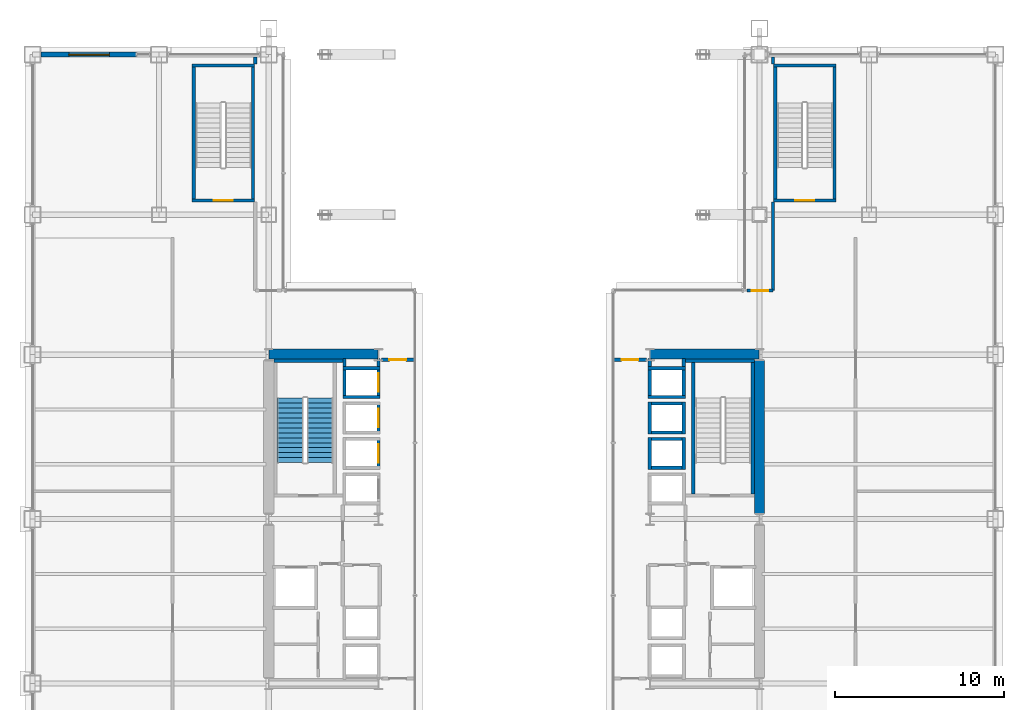
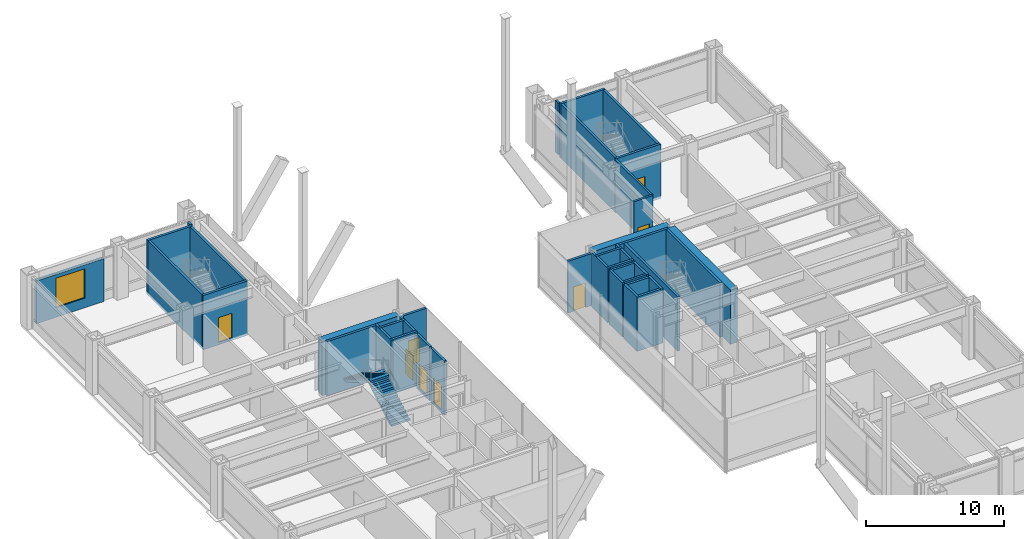
# One storey, part 37 of 40: 40 walls, 8 doors, 2 stair flights, 1 window, 9 openings, 1 element without a shape of its own.
"""IFC4 building model written with IfcOpenShell, lengths in metres."""

from ifc_helpers import new_model, si_unit, direction, frame, frame_2d, origin, place, context, subcontext, project, spatial, polyline, rectangle, outline, extrude, material, layer, layer_set, type_object, element, fill, aggregate, save


model = new_model("IFC4")

# Units and contexts
model_context = context("Model", 3, precision=1e-05, world=origin(), true_north=direction((0.0, 1.0)))
body_context = subcontext(model_context, "Body", "Model", "MODEL_VIEW")
ifc_project = project(units=[si_unit("LENGTHUNIT", "METRE"), si_unit("AREAUNIT", "SQUARE_METRE"), si_unit("VOLUMEUNIT", "CUBIC_METRE"), si_unit("PLANEANGLEUNIT", "RADIAN"), si_unit("MASSUNIT", "GRAM", prefix="KILO")], contexts=[model_context])

# Site, building, storey
site_placement = place(None, origin())
site = spatial("IfcSite", under=ifc_project, at=site_placement, CompositionType="ELEMENT")
building_placement = place(site_placement, origin())
building = spatial("IfcBuilding", under=site, at=building_placement, Name="Brelmoor Portico Tower", CompositionType="ELEMENT")
storey_placement = place(building_placement, frame((0.0, 0.0, 4.800048828125)))
storey = spatial("IfcBuildingStorey", under=building, at=storey_placement, Name="L01", CompositionType="ELEMENT", Elevation=4.800048828125)

# Walls
ifc_material_1 = material(Name="Concrete C60", Category="concrete")
ifc_layer_1 = layer(ifc_material_1, 0.60009765625)
ifc_layer_set_1 = layer_set([ifc_layer_1], Name="Concrete C60")
wall_type_1 = type_object("IfcWallType", Name="WL-CORE-600", PredefinedType="SHEAR", material=ifc_layer_set_1)
for number, where, z_axis, x_axis, name in (
    (1, (-14.530029296875, 9.800048828125, -0.219970703125), (0.0, 0.0, 1.0), (1.0, 0.0, 0.0), "L01 WC North Shear Wall"),
    (2, (8.070068359375, 9.800048828125, -0.219970703125), (0.0, 0.0, 1.0), (1.0, 0.0, 0.0), "L01 EC North Shear Wall"),
):
    element("IfcWall", number, at=place(storey_placement, frame(where, z_axis=z_axis, x_axis=x_axis)), inside=storey, type_object=wall_type_1, Name=name, PredefinedType="SHEAR", context=body_context, shape_type="SweptSolid", body=[
        extrude(rectangle(XDim=6.4599609375, YDim=0.60009765625, at=frame_2d((3.22998046875, 0.0))), origin(), (0.0, 0.0, 1.0), 4.7998046875),
    ])
wall_1_placement = place(storey_placement, frame((14.550048828125, 0.35009765625, -0.219970703125), z_axis=(0.0, 0.0, 1.0), x_axis=(0.0, 1.0, 0.0)))
element("IfcWall", 3, at=wall_1_placement, inside=storey, type_object=wall_type_1, Name="L01 EC Outer North Shear Wall", PredefinedType="SHEAR", context=body_context, shape_type="SweptSolid", body=[
    extrude(rectangle(XDim=9.0498046875, YDim=0.60009765625, at=frame_2d((4.52490234375, 0.0))), origin(), (0.0, 0.0, 1.0), 4.7998046875),
])

# Wall, opening, window
ifc_material_2 = material(Name="Precast Concrete C40 Acoustic Spandrel Wall", Category="concrete")
ifc_layer_2 = layer(ifc_material_2, 0.280029296875)
ifc_layer_set_2 = layer_set([ifc_layer_2], Name="Precast Concrete C40 Acoustic Spandrel Wall")
wall_type_2 = type_object("IfcWallType", Name="WL-EXT-280", PredefinedType="STANDARD", material=ifc_layer_set_2)
wall_2_placement = place(storey_placement, frame((-28.0400390625, 27.550048828125, 0.0), z_axis=(0.0, 0.0, 1.0), x_axis=(1.0, 0.0, 0.0)))
wall_2 = element("IfcWall", 4, at=wall_2_placement, inside=storey, type_object=wall_type_2, Name="L01 Podium North-West Precast Wall", PredefinedType="STANDARD", context=body_context, shape_type="SweptSolid", body=[
    extrude(rectangle(XDim=5.64013671875, YDim=0.280029296875, at=frame_2d((2.820068359375, 0.0))), origin(), (0.0, 0.0, 1.0), 3.780029296875),
])
opening_1_placement = place(wall_2_placement, frame((1.639892578125, 0.0, 0.85009765625)))
opening_1 = element("IfcOpeningElement", 5, at=opening_1_placement, cuts=wall_2, Name="Opening W-04", PredefinedType="OPENING", context=body_context, shape_type="SweptSolid", body=[
    extrude(rectangle(XDim=2.39990234375, YDim=2.60009765625, at=frame_2d((1.199951171875, 1.300048828125))), frame((0.0, 0.14990234375, 0.0), z_axis=(0.0, -1.0, 0.0), x_axis=(1.0, 0.0, 0.0)), (0.0, 0.0, 1.0), 0.300048828125),
])
ifc_material_3 = material(Name="Thermally Broken Aluminium Low-E Window", Category="aluminium")
window_type = type_object("IfcWindowType", Name="WN-PODIUM-2400x2600", PartitioningType="SINGLE_PANEL", PredefinedType="WINDOW", material=ifc_material_3)
window_placement = place(opening_1_placement, origin())
window = element("IfcWindow", 6, at=window_placement, inside=storey, type_object=window_type, Name="L01 Podium Window PNW", OverallHeight=2.60009765625, OverallWidth=2.39990234375, PartitioningType="SINGLE_PANEL", PredefinedType="WINDOW", context=body_context, shape_type="SweptSolid", body=[
    extrude(rectangle(XDim=2.39990234375, YDim=2.60009765625, at=frame_2d((1.199951171875, 1.300048828125))), frame((0.0, 0.030029296875, 0.0), z_axis=(0.0, -1.0, 0.0), x_axis=(1.0, 0.0, 0.0)), (0.0, 0.0, 1.0), 0.06005859375),
])
fill(opening_1, window)

# Wall
ifc_material_4 = material(Name="Acoustic Corridor Fire Partition", Category="gypsum")
ifc_layer_3 = layer(ifc_material_4, 0.179931640625)
ifc_layer_set_3 = layer_set([ifc_layer_3], Name="Acoustic Corridor Fire Partition")
wall_type_3 = type_object("IfcWallType", Name="WL-PART-180", PredefinedType="PARTITIONING", material=ifc_layer_set_3)
wall_3_placement = place(storey_placement, frame((-15.35009765625, 27.0, 0.0), z_axis=(0.0, 0.0, 1.0), x_axis=(0.0, 1.0, 0.0)))
element("IfcWall", 7, at=wall_3_placement, inside=storey, type_object=wall_type_3, Name="L01 W North Reception Outer Wall North Closer", PredefinedType="PARTITIONING", context=body_context, shape_type="SweptSolid", body=[
    extrude(rectangle(XDim=0.419921875, YDim=0.179931640625, at=frame_2d((0.2099609375, 0.0))), origin(), (0.0, 0.0, 1.0), 4.579833984375),
])

# Wall, opening, door
wall_4_placement = place(storey_placement, frame((13.800048828125, 13.550048828125, 0.0), z_axis=(0.0, 0.0, 1.0), x_axis=(1.0, 0.0, 0.0)))
wall_4 = element("IfcWall", 8, at=wall_4_placement, inside=storey, type_object=wall_type_3, Name="L01 E North Reception Wall", PredefinedType="PARTITIONING", context=body_context, shape_type="SweptSolid", body=[
    extrude(rectangle(XDim=1.550048828125, YDim=0.179931640625, at=frame_2d((0.77490234375, 0.0))), origin(), (0.0, 0.0, 1.0), 4.579833984375),
])
opening_2_placement = place(wall_4_placement, frame((0.300048828125, 0.0, 0.0)))
opening_2 = element("IfcOpeningElement", 9, at=opening_2_placement, cuts=wall_4, Name="Opening D-IN2", PredefinedType="OPENING", context=body_context, shape_type="SweptSolid", body=[
    extrude(rectangle(XDim=0.9599609375, YDim=2.179931640625, at=frame_2d((0.47998046875, 1.08984375))), frame((0.0, 0.099853515625, 0.0), z_axis=(0.0, -1.0, 0.0), x_axis=(1.0, 0.0, 0.0)), (0.0, 0.0, 1.0), 0.199951171875),
])
ifc_material_5 = material(Name="Lacquered Timber Suite Door", Category="wood")
door_type_1 = type_object("IfcDoorType", Name="DR-INT-950", OperationType="NOTDEFINED", PredefinedType="DOOR", material=ifc_material_5)
door_1_placement = place(opening_2_placement, origin())
door_1 = element("IfcDoor", 10, at=door_1_placement, inside=storey, type_object=door_type_1, Name="D-0110 L01 E North Reception Foyer Door", OperationType="SINGLE_SWING_RIGHT", OverallHeight=2.179931640625, OverallWidth=0.9599609375, PredefinedType="DOOR", context=body_context, shape_type="SweptSolid", body=[
    extrude(rectangle(XDim=0.9599609375, YDim=2.179931640625, at=frame_2d((0.47998046875, 1.08984375))), frame((0.0, 0.02490234375, 0.0), z_axis=(0.0, -1.0, 0.0), x_axis=(1.0, 0.0, 0.0)), (0.0, 0.0, 1.0), 0.050048828125),
])
fill(opening_2, door_1)

# Walls
wall_5_placement = place(storey_placement, frame((15.35009765625, 13.550048828125, 0.0), z_axis=(0.0, 0.0, 1.0), x_axis=(0.0, 1.0, 0.0)))
element("IfcWall", 11, at=wall_5_placement, inside=storey, type_object=wall_type_3, Name="L01 E North Reception Outer Wall", PredefinedType="PARTITIONING", context=body_context, shape_type="SweptSolid", body=[
    extrude(rectangle(XDim=5.25, YDim=0.179931640625, at=frame_2d((2.625, 0.0))), origin(), (0.0, 0.0, 1.0), 4.579833984375),
])
wall_6_placement = place(storey_placement, frame((15.35009765625, 27.0, 0.0), z_axis=(0.0, 0.0, 1.0), x_axis=(0.0, 1.0, 0.0)))
element("IfcWall", 12, at=wall_6_placement, inside=storey, type_object=wall_type_3, Name="L01 E North Reception Outer Wall North Closer", PredefinedType="PARTITIONING", context=body_context, shape_type="SweptSolid", body=[
    extrude(rectangle(XDim=0.419921875, YDim=0.179931640625, at=frame_2d((0.2099609375, 0.0))), origin(), (0.0, 0.0, 1.0), 4.579833984375),
])

# Wall, opening, door
ifc_material_6 = material(Name="Double-Stud Gypsum Fire Partition", Category="gypsum")
ifc_layer_4 = layer(ifc_material_6, 0.199951171875)
ifc_layer_set_4 = layer_set([ifc_layer_4], Name="Double-Stud Gypsum Fire Partition")
wall_type_4 = type_object("IfcWallType", Name="WL-PART-200", PredefinedType="PARTITIONING", material=ifc_layer_set_4)
wall_7_placement = place(storey_placement, frame((-7.85009765625, 9.449951171875, 0.0), z_axis=(0.0, 0.0, 1.0), x_axis=(1.0, 0.0, 0.0)))
wall_7 = element("IfcWall", 13, at=wall_7_placement, inside=storey, type_object=wall_type_4, Name="L01 W Pier Lift Lobby North Wall", PredefinedType="PARTITIONING", context=body_context, shape_type="SweptSolid", body=[
    extrude(rectangle(XDim=1.93017578125, YDim=0.199951171875, at=frame_2d((0.965087890625, 0.0))), origin(), (0.0, 0.0, 1.0), 4.579833984375),
])
opening_3_placement = place(wall_7_placement, frame((0.449951171875, 0.0, 0.0)))
opening_3 = element("IfcOpeningElement", 14, at=opening_3_placement, cuts=wall_7, Name="Opening D-FR2", PredefinedType="OPENING", context=body_context, shape_type="SweptSolid", body=[
    extrude(rectangle(XDim=1.0, YDim=2.14990234375, at=frame_2d((0.5, 1.074951171875))), frame((0.0, 0.10986328125, 0.0), z_axis=(0.0, -1.0, 0.0), x_axis=(1.0, 0.0, 0.0)), (0.0, 0.0, 1.0), 0.219970703125),
])
ifc_material_7 = material(Name="Painted Galvanised Steel Fire Door", Category="steel")
door_type_2 = type_object("IfcDoorType", Name="DR-FIRE-1000", OperationType="NOTDEFINED", PredefinedType="DOOR", material=ifc_material_7)
door_2_placement = place(opening_3_placement, origin())
door_2 = element("IfcDoor", 15, at=door_2_placement, inside=storey, type_object=door_type_2, Name="D-0107 L01 W Pier Lift Lobby North Door", OperationType="SINGLE_SWING_RIGHT", OverallHeight=2.14990234375, OverallWidth=1.0, PredefinedType="DOOR", context=body_context, shape_type="SweptSolid", body=[
    extrude(rectangle(XDim=1.0, YDim=2.14990234375, at=frame_2d((0.5, 1.074951171875))), frame((0.0, 0.02490234375, 0.0), z_axis=(0.0, -1.0, 0.0), x_axis=(1.0, 0.0, 0.0)), (0.0, 0.0, 1.0), 0.050048828125),
])
fill(opening_3, door_2)

wall_8_placement = place(storey_placement, frame((5.919921875, 9.449951171875, 0.0), z_axis=(0.0, 0.0, 1.0), x_axis=(1.0, 0.0, 0.0)))
wall_8 = element("IfcWall", 16, at=wall_8_placement, inside=storey, type_object=wall_type_4, Name="L01 E Pier Lift Lobby North Wall", PredefinedType="PARTITIONING", context=body_context, shape_type="SweptSolid", body=[
    extrude(rectangle(XDim=1.93017578125, YDim=0.199951171875, at=frame_2d((0.965087890625, 0.0))), origin(), (0.0, 0.0, 1.0), 4.579833984375),
])
opening_4_placement = place(wall_8_placement, frame((0.449951171875, 0.0, 0.0)))
opening_4 = element("IfcOpeningElement", 17, at=opening_4_placement, cuts=wall_8, Name="Opening D-FR2", PredefinedType="OPENING", context=body_context, shape_type="SweptSolid", body=[
    extrude(rectangle(XDim=1.0, YDim=2.14990234375, at=frame_2d((0.5, 1.074951171875))), frame((0.0, 0.10986328125, 0.0), z_axis=(0.0, -1.0, 0.0), x_axis=(1.0, 0.0, 0.0)), (0.0, 0.0, 1.0), 0.219970703125),
])
door_3_placement = place(opening_4_placement, origin())
door_3 = element("IfcDoor", 18, at=door_3_placement, inside=storey, type_object=door_type_2, Name="D-0106 L01 E Pier Lift Lobby North Door", OperationType="SINGLE_SWING_RIGHT", OverallHeight=2.14990234375, OverallWidth=1.0, PredefinedType="DOOR", context=body_context, shape_type="SweptSolid", body=[
    extrude(rectangle(XDim=1.0, YDim=2.14990234375, at=frame_2d((0.5, 1.074951171875))), frame((0.0, 0.02490234375, 0.0), z_axis=(0.0, -1.0, 0.0), x_axis=(1.0, 0.0, 0.0)), (0.0, 0.0, 1.0), 0.050048828125),
])
fill(opening_4, door_3)

ifc_material_8 = material(Name="Precast Concrete C40", Category="concrete")
ifc_layer_5 = layer(ifc_material_8, 0.18994140625)
ifc_layer_set_5 = layer_set([ifc_layer_5], Name="Precast Concrete C40")
wall_type_5 = type_object("IfcWallType", Name="WL-SHAFT-180", PredefinedType="SOLIDWALL", material=ifc_layer_set_5)
wall_9_placement = place(storey_placement, frame((-8.044921875, 2.949951171875, -0.219970703125), z_axis=(0.0, 0.0, 1.0), x_axis=(0.0, 1.0, 0.0)))
wall_9 = element("IfcWall", 19, at=wall_9_placement, inside=storey, type_object=wall_type_5, Name="L01 Lift PL2 Hoistway Front Wall", PredefinedType="SOLIDWALL", context=body_context, shape_type="SweptSolid", body=[
    extrude(rectangle(XDim=1.900146484375, YDim=0.18994140625, at=frame_2d((0.9501953125, 0.0))), origin(), (0.0, 0.0, 1.0), 4.7998046875),
])
opening_5_placement = place(wall_9_placement, frame((0.39990234375, 0.0, 0.219970703125)))
opening_5 = element("IfcOpeningElement", 20, at=opening_5_placement, cuts=wall_9, Name="Opening LD-01", PredefinedType="OPENING", context=body_context, shape_type="SweptSolid", body=[
    extrude(rectangle(XDim=1.10009765625, YDim=2.199951171875, at=frame_2d((0.550048828125, 1.10009765625))), frame((0.0, 0.10498046875, 0.0), z_axis=(0.0, -1.0, 0.0), x_axis=(1.0, 0.0, 0.0)), (0.0, 0.0, 1.0), 0.2099609375),
])
ifc_material_9 = material(Name="Brushed Stainless Steel Sliding Lift Door", Category="steel")
door_type_3 = type_object("IfcDoorType", Name="DR-LIFT-1100", OperationType="NOTDEFINED", PredefinedType="DOOR", material=ifc_material_9)
door_4_placement = place(opening_5_placement, origin())
door_4 = element("IfcDoor", 21, at=door_4_placement, inside=storey, type_object=door_type_3, Name="D-0127 L01 Lift PL2 Sliding Landing Door", OperationType="SLIDING_TO_LEFT", OverallHeight=2.199951171875, OverallWidth=1.10009765625, PredefinedType="DOOR", context=body_context, shape_type="SweptSolid", body=[
    extrude(rectangle(XDim=1.10009765625, YDim=2.199951171875, at=frame_2d((0.550048828125, 1.10009765625))), frame((0.0, 0.02490234375, 0.0), z_axis=(0.0, -1.0, 0.0), x_axis=(1.0, 0.0, 0.0)), (0.0, 0.0, 1.0), 0.050048828125),
])
fill(opening_5, door_4)

wall_10_placement = place(storey_placement, frame((-8.044921875, 5.050048828125, -0.219970703125), z_axis=(0.0, 0.0, 1.0), x_axis=(0.0, 1.0, 0.0)))
wall_10 = element("IfcWall", 22, at=wall_10_placement, inside=storey, type_object=wall_type_5, Name="L01 Lift PL3 Hoistway Front Wall", PredefinedType="SOLIDWALL", context=body_context, shape_type="SweptSolid", body=[
    extrude(rectangle(XDim=1.89990234375, YDim=0.18994140625, at=frame_2d((0.949951171875, 0.0))), origin(), (0.0, 0.0, 1.0), 4.7998046875),
])
opening_6_placement = place(wall_10_placement, frame((0.39990234375, 0.0, 0.219970703125)))
opening_6 = element("IfcOpeningElement", 23, at=opening_6_placement, cuts=wall_10, Name="Opening LD-01", PredefinedType="OPENING", context=body_context, shape_type="SweptSolid", body=[
    extrude(rectangle(XDim=1.10009765625, YDim=2.199951171875, at=frame_2d((0.550048828125, 1.10009765625))), frame((0.0, 0.10498046875, 0.0), z_axis=(0.0, -1.0, 0.0), x_axis=(1.0, 0.0, 0.0)), (0.0, 0.0, 1.0), 0.2099609375),
])
door_5_placement = place(opening_6_placement, origin())
door_5 = element("IfcDoor", 24, at=door_5_placement, inside=storey, type_object=door_type_3, Name="D-0128 L01 Lift PL3 Sliding Landing Door", OperationType="SLIDING_TO_LEFT", OverallHeight=2.199951171875, OverallWidth=1.10009765625, PredefinedType="DOOR", context=body_context, shape_type="SweptSolid", body=[
    extrude(rectangle(XDim=1.10009765625, YDim=2.199951171875, at=frame_2d((0.550048828125, 1.10009765625))), frame((0.0, 0.02490234375, 0.0), z_axis=(0.0, -1.0, 0.0), x_axis=(1.0, 0.0, 0.0)), (0.0, 0.0, 1.0), 0.050048828125),
])
fill(opening_6, door_5)

wall_11_placement = place(storey_placement, frame((-8.044921875, 7.14990234375, -0.219970703125), z_axis=(0.0, 0.0, 1.0), x_axis=(0.0, 1.0, 0.0)))
wall_11 = element("IfcWall", 25, at=wall_11_placement, inside=storey, type_object=wall_type_5, Name="L01 Lift PL4 Hoistway Front Wall", PredefinedType="SOLIDWALL", context=body_context, shape_type="SweptSolid", body=[
    extrude(rectangle(XDim=2.3701171875, YDim=0.18994140625, at=frame_2d((1.18505859375, 0.0))), origin(), (0.0, 0.0, 1.0), 4.7998046875),
])
opening_7_placement = place(wall_11_placement, frame((0.39990234375, 0.0, 0.219970703125)))
opening_7 = element("IfcOpeningElement", 26, at=opening_7_placement, cuts=wall_11, Name="Opening LD-01", PredefinedType="OPENING", context=body_context, shape_type="SweptSolid", body=[
    extrude(rectangle(XDim=1.10009765625, YDim=2.199951171875, at=frame_2d((0.550048828125, 1.10009765625))), frame((0.0, 0.10498046875, 0.0), z_axis=(0.0, -1.0, 0.0), x_axis=(1.0, 0.0, 0.0)), (0.0, 0.0, 1.0), 0.2099609375),
])
door_6_placement = place(opening_7_placement, origin())
door_6 = element("IfcDoor", 27, at=door_6_placement, inside=storey, type_object=door_type_3, Name="D-0129 L01 Lift PL4 Sliding Landing Door", OperationType="SLIDING_TO_LEFT", OverallHeight=2.199951171875, OverallWidth=1.10009765625, PredefinedType="DOOR", context=body_context, shape_type="SweptSolid", body=[
    extrude(rectangle(XDim=1.10009765625, YDim=2.199951171875, at=frame_2d((0.550048828125, 1.10009765625))), frame((0.0, 0.02490234375, 0.0), z_axis=(0.0, -1.0, 0.0), x_axis=(1.0, 0.0, 0.0)), (0.0, 0.0, 1.0), 0.050048828125),
])
fill(opening_7, door_6)

# Walls
wall_12_placement = place(storey_placement, frame((-10.054931640625, 7.14990234375, -0.219970703125), z_axis=(0.0, 0.0, 1.0), x_axis=(0.0, 1.0, 0.0)))
element("IfcWall", 28, at=wall_12_placement, inside=storey, type_object=wall_type_5, Name="L01 Lift PL4 Hoistway Back Wall", PredefinedType="SOLIDWALL", context=body_context, shape_type="SweptSolid", body=[
    extrude(rectangle(XDim=2.3701171875, YDim=0.18994140625, at=frame_2d((1.18505859375, 0.0))), origin(), (0.0, 0.0, 1.0), 4.7998046875),
])
for number, where, z_axis, x_axis, name in (
    (29, (-10.14990234375, 8.955078125, -0.219970703125), (0.0, 0.0, 1.0), (1.0, 0.0, 0.0), "L01 Lift PL4 Hoistway North Wall"),
    (30, (-10.14990234375, 7.2451171875, -0.219970703125), (0.0, 0.0, 1.0), (1.0, 0.0, 0.0), "L01 Lift PL4 Hoistway South Wall"),
):
    element("IfcWall", number, at=place(storey_placement, frame(where, z_axis=z_axis, x_axis=x_axis)), inside=storey, type_object=wall_type_5, Name=name, PredefinedType="SOLIDWALL", context=body_context, shape_type="SweptSolid", body=[
        extrude(rectangle(XDim=2.199951171875, YDim=0.18994140625, at=frame_2d((1.10009765625, 0.0))), origin(), (0.0, 0.0, 1.0), 4.7998046875),
    ])
for number, where, z_axis, x_axis, name in (
    (31, (8.044921875, 2.949951171875, -0.219970703125), (0.0, 0.0, 1.0), (0.0, 1.0, 0.0), "L01 Lift PM2 Hoistway Front Wall"),
    (32, (10.054931640625, 2.949951171875, -0.219970703125), (0.0, 0.0, 1.0), (0.0, 1.0, 0.0), "L01 Lift PM2 Hoistway Back Wall"),
):
    element("IfcWall", number, at=place(storey_placement, frame(where, z_axis=z_axis, x_axis=x_axis)), inside=storey, type_object=wall_type_5, Name=name, PredefinedType="SOLIDWALL", context=body_context, shape_type="SweptSolid", body=[
        extrude(rectangle(XDim=1.900146484375, YDim=0.18994140625, at=frame_2d((0.9501953125, 0.0))), origin(), (0.0, 0.0, 1.0), 4.7998046875),
    ])
for number, where, z_axis, x_axis, name in (
    (33, (7.949951171875, 4.7548828125, -0.219970703125), (0.0, 0.0, 1.0), (1.0, 0.0, 0.0), "L01 Lift PM2 Hoistway North Wall"),
    (34, (7.949951171875, 3.044921875, -0.219970703125), (0.0, 0.0, 1.0), (1.0, 0.0, 0.0), "L01 Lift PM2 Hoistway South Wall"),
):
    element("IfcWall", number, at=place(storey_placement, frame(where, z_axis=z_axis, x_axis=x_axis)), inside=storey, type_object=wall_type_5, Name=name, PredefinedType="SOLIDWALL", context=body_context, shape_type="SweptSolid", body=[
        extrude(rectangle(XDim=2.199951171875, YDim=0.18994140625, at=frame_2d((1.10009765625, 0.0))), origin(), (0.0, 0.0, 1.0), 4.7998046875),
    ])
for number, where, z_axis, x_axis, name in (
    (35, (8.044921875, 5.050048828125, -0.219970703125), (0.0, 0.0, 1.0), (0.0, 1.0, 0.0), "L01 Lift PM3 Hoistway Front Wall"),
    (36, (10.054931640625, 5.050048828125, -0.219970703125), (0.0, 0.0, 1.0), (0.0, 1.0, 0.0), "L01 Lift PM3 Hoistway Back Wall"),
):
    element("IfcWall", number, at=place(storey_placement, frame(where, z_axis=z_axis, x_axis=x_axis)), inside=storey, type_object=wall_type_5, Name=name, PredefinedType="SOLIDWALL", context=body_context, shape_type="SweptSolid", body=[
        extrude(rectangle(XDim=1.89990234375, YDim=0.18994140625, at=frame_2d((0.949951171875, 0.0))), origin(), (0.0, 0.0, 1.0), 4.7998046875),
    ])
for number, where, z_axis, x_axis, name in (
    (37, (7.949951171875, 6.85498046875, -0.219970703125), (0.0, 0.0, 1.0), (1.0, 0.0, 0.0), "L01 Lift PM3 Hoistway North Wall"),
    (38, (7.949951171875, 5.14501953125, -0.219970703125), (0.0, 0.0, 1.0), (1.0, 0.0, 0.0), "L01 Lift PM3 Hoistway South Wall"),
):
    element("IfcWall", number, at=place(storey_placement, frame(where, z_axis=z_axis, x_axis=x_axis)), inside=storey, type_object=wall_type_5, Name=name, PredefinedType="SOLIDWALL", context=body_context, shape_type="SweptSolid", body=[
        extrude(rectangle(XDim=2.199951171875, YDim=0.18994140625, at=frame_2d((1.10009765625, 0.0))), origin(), (0.0, 0.0, 1.0), 4.7998046875),
    ])
for number, where, z_axis, x_axis, name in (
    (39, (8.044921875, 7.14990234375, -0.219970703125), (0.0, 0.0, 1.0), (0.0, 1.0, 0.0), "L01 Lift PM4 Hoistway Front Wall"),
    (40, (10.054931640625, 7.14990234375, -0.219970703125), (0.0, 0.0, 1.0), (0.0, 1.0, 0.0), "L01 Lift PM4 Hoistway Back Wall"),
):
    element("IfcWall", number, at=place(storey_placement, frame(where, z_axis=z_axis, x_axis=x_axis)), inside=storey, type_object=wall_type_5, Name=name, PredefinedType="SOLIDWALL", context=body_context, shape_type="SweptSolid", body=[
        extrude(rectangle(XDim=2.3701171875, YDim=0.18994140625, at=frame_2d((1.18505859375, 0.0))), origin(), (0.0, 0.0, 1.0), 4.7998046875),
    ])
for number, where, z_axis, x_axis, name in (
    (41, (7.949951171875, 8.955078125, -0.219970703125), (0.0, 0.0, 1.0), (1.0, 0.0, 0.0), "L01 Lift PM4 Hoistway North Wall"),
    (42, (7.949951171875, 7.2451171875, -0.219970703125), (0.0, 0.0, 1.0), (1.0, 0.0, 0.0), "L01 Lift PM4 Hoistway South Wall"),
):
    element("IfcWall", number, at=place(storey_placement, frame(where, z_axis=z_axis, x_axis=x_axis)), inside=storey, type_object=wall_type_5, Name=name, PredefinedType="SOLIDWALL", context=body_context, shape_type="SweptSolid", body=[
        extrude(rectangle(XDim=2.199951171875, YDim=0.18994140625, at=frame_2d((1.10009765625, 0.0))), origin(), (0.0, 0.0, 1.0), 4.7998046875),
    ])
ifc_material_10 = material(Name="Concrete C40", Category="concrete")
ifc_layer_6 = layer(ifc_material_10, 0.199951171875)
ifc_layer_set_6 = layer_set([ifc_layer_6], Name="Concrete C40")
wall_type_6 = type_object("IfcWallType", Name="WL-SHAFT-RC200", PredefinedType="SOLIDWALL", material=ifc_layer_set_6)
wall_13_placement = place(storey_placement, frame((14.14990234375, 1.5, -0.219970703125), z_axis=(0.0, 0.0, 1.0), x_axis=(0.0, 1.0, 0.0)))
element("IfcWall", 43, at=wall_13_placement, inside=storey, type_object=wall_type_6, Name="L01 ST-E Structural Stair Wall Outer", PredefinedType="SOLIDWALL", context=body_context, shape_type="SweptSolid", body=[
    extrude(rectangle(XDim=7.800048828125, YDim=0.199951171875, at=frame_2d((3.89990234375, 0.0))), origin(), (0.0, 0.0, 1.0), 4.7998046875),
])
for number, where, z_axis, x_axis, name in (
    (44, (-14.25, 9.39990234375, -0.219970703125), (0.0, 0.0, 1.0), (1.0, 0.0, 0.0), "L01 ST-W Structural Stair Wall N"),
    (45, (10.14990234375, 9.39990234375, -0.219970703125), (0.0, 0.0, 1.0), (1.0, 0.0, 0.0), "L01 ST-E Structural Stair Wall N"),
):
    element("IfcWall", number, at=place(storey_placement, frame(where, z_axis=z_axis, x_axis=x_axis)), inside=storey, type_object=wall_type_6, Name=name, PredefinedType="SOLIDWALL", context=body_context, shape_type="SweptSolid", body=[
        extrude(rectangle(XDim=4.10009765625, YDim=0.199951171875, at=frame_2d((2.050048828125, 0.0))), origin(), (0.0, 0.0, 1.0), 4.7998046875),
    ])
wall_14_placement = place(storey_placement, frame((10.6298828125, 1.5, -0.219970703125), z_axis=(0.0, 0.0, 1.0), x_axis=(0.0, 1.0, 0.0)))
element("IfcWall", 46, at=wall_14_placement, inside=storey, type_object=wall_type_6, Name="L01 ST-E Structural Stair Wall Inner", PredefinedType="SOLIDWALL", context=body_context, shape_type="SweptSolid", body=[
    extrude(rectangle(XDim=7.800048828125, YDim=0.199951171875, at=frame_2d((3.89990234375, 0.0))), origin(), (0.0, 0.0, 1.0), 4.7998046875),
])

# Wall, opening, door
wall_15_placement = place(storey_placement, frame((-19.10009765625, 18.89990234375, -0.219970703125), z_axis=(0.0, 0.0, 1.0), x_axis=(1.0, 0.0, 0.0)))
wall_15 = element("IfcWall", 47, at=wall_15_placement, inside=storey, type_object=wall_type_6, Name="L01 ST-P1 Structural Stair Wall S", PredefinedType="SOLIDWALL", context=body_context, shape_type="SweptSolid", body=[
    extrude(rectangle(XDim=3.72021484375, YDim=0.199951171875, at=frame_2d((1.860107421875, 0.0))), origin(), (0.0, 0.0, 1.0), 4.7998046875),
])
opening_8_placement = place(wall_15_placement, frame((1.300048828125, 0.0, 0.219970703125)))
opening_8 = element("IfcOpeningElement", 48, at=opening_8_placement, cuts=wall_15, Name="Opening D-ST1", PredefinedType="OPENING", context=body_context, shape_type="SweptSolid", body=[
    extrude(rectangle(XDim=1.1201171875, YDim=2.179931640625, at=frame_2d((0.56005859375, 1.08984375))), frame((0.0, 0.10986328125, 0.0), z_axis=(0.0, -1.0, 0.0), x_axis=(1.0, 0.0, 0.0)), (0.0, 0.0, 1.0), 0.219970703125),
])
door_type_4 = type_object("IfcDoorType", Name="DR-STAIR-1100", OperationType="NOTDEFINED", PredefinedType="DOOR", material=ifc_material_7)
door_7_placement = place(opening_8_placement, origin())
door_7 = element("IfcDoor", 49, at=door_7_placement, inside=storey, type_object=door_type_4, Name="D-0121 L01 ST-P1 Podium Exit Stair Door", OperationType="SINGLE_SWING_LEFT", OverallHeight=2.179931640625, OverallWidth=1.1201171875, PredefinedType="DOOR", context=body_context, shape_type="SweptSolid", body=[
    extrude(rectangle(XDim=1.1201171875, YDim=2.179931640625, at=frame_2d((0.56005859375, 1.08984375))), frame((0.0, 0.02490234375, 0.0), z_axis=(0.0, -1.0, 0.0), x_axis=(1.0, 0.0, 0.0)), (0.0, 0.0, 1.0), 0.050048828125),
])
fill(opening_8, door_7)

# Walls
wall_16_placement = place(storey_placement, frame((-19.10009765625, 26.89990234375, -0.219970703125), z_axis=(0.0, 0.0, 1.0), x_axis=(1.0, 0.0, 0.0)))
element("IfcWall", 50, at=wall_16_placement, inside=storey, type_object=wall_type_6, Name="L01 ST-P1 Structural Stair Wall N", PredefinedType="SOLIDWALL", context=body_context, shape_type="SweptSolid", body=[
    extrude(rectangle(XDim=3.72021484375, YDim=0.199951171875, at=frame_2d((1.860107421875, 0.0))), origin(), (0.0, 0.0, 1.0), 4.7998046875),
])
for number, where, z_axis, x_axis, name in (
    (51, (-19.0, 19.0, -0.219970703125), (0.0, 0.0, 1.0), (0.0, 1.0, 0.0), "L01 ST-P1 Structural Stair Wall W"),
    (52, (-15.47998046875, 19.0, -0.219970703125), (0.0, 0.0, 1.0), (0.0, 1.0, 0.0), "L01 ST-P1 Structural Stair Wall E"),
):
    element("IfcWall", number, at=place(storey_placement, frame(where, z_axis=z_axis, x_axis=x_axis)), inside=storey, type_object=wall_type_6, Name=name, PredefinedType="SOLIDWALL", context=body_context, shape_type="SweptSolid", body=[
        extrude(rectangle(XDim=7.800048828125, YDim=0.199951171875, at=frame_2d((3.89990234375, 0.0))), origin(), (0.0, 0.0, 1.0), 4.7998046875),
    ])

# Wall, opening, door
wall_17_placement = place(storey_placement, frame((15.3798828125, 18.89990234375, -0.219970703125), z_axis=(0.0, 0.0, 1.0), x_axis=(1.0, 0.0, 0.0)))
wall_17 = element("IfcWall", 53, at=wall_17_placement, inside=storey, type_object=wall_type_6, Name="L01 ST-P2 Structural Stair Wall S", PredefinedType="SOLIDWALL", context=body_context, shape_type="SweptSolid", body=[
    extrude(rectangle(XDim=3.72021484375, YDim=0.199951171875, at=frame_2d((1.860107421875, 0.0))), origin(), (0.0, 0.0, 1.0), 4.7998046875),
])
opening_9_placement = place(wall_17_placement, frame((1.300048828125, 0.0, 0.219970703125)))
opening_9 = element("IfcOpeningElement", 54, at=opening_9_placement, cuts=wall_17, Name="Opening D-ST1", PredefinedType="OPENING", context=body_context, shape_type="SweptSolid", body=[
    extrude(rectangle(XDim=1.1201171875, YDim=2.179931640625, at=frame_2d((0.56005859375, 1.08984375))), frame((0.0, 0.10986328125, 0.0), z_axis=(0.0, -1.0, 0.0), x_axis=(1.0, 0.0, 0.0)), (0.0, 0.0, 1.0), 0.219970703125),
])
door_8_placement = place(opening_9_placement, origin())
door_8 = element("IfcDoor", 55, at=door_8_placement, inside=storey, type_object=door_type_4, Name="D-0122 L01 ST-P2 Podium Exit Stair Door", OperationType="SINGLE_SWING_RIGHT", OverallHeight=2.179931640625, OverallWidth=1.1201171875, PredefinedType="DOOR", context=body_context, shape_type="SweptSolid", body=[
    extrude(rectangle(XDim=1.1201171875, YDim=2.179931640625, at=frame_2d((0.56005859375, 1.08984375))), frame((0.0, 0.02490234375, 0.0), z_axis=(0.0, -1.0, 0.0), x_axis=(1.0, 0.0, 0.0)), (0.0, 0.0, 1.0), 0.050048828125),
])
fill(opening_9, door_8)

# Walls
wall_18_placement = place(storey_placement, frame((15.3798828125, 26.89990234375, -0.219970703125), z_axis=(0.0, 0.0, 1.0), x_axis=(1.0, 0.0, 0.0)))
element("IfcWall", 56, at=wall_18_placement, inside=storey, type_object=wall_type_6, Name="L01 ST-P2 Structural Stair Wall N", PredefinedType="SOLIDWALL", context=body_context, shape_type="SweptSolid", body=[
    extrude(rectangle(XDim=3.72021484375, YDim=0.199951171875, at=frame_2d((1.860107421875, 0.0))), origin(), (0.0, 0.0, 1.0), 4.7998046875),
])
for number, where, z_axis, x_axis, name in (
    (57, (15.47998046875, 19.0, -0.219970703125), (0.0, 0.0, 1.0), (0.0, 1.0, 0.0), "L01 ST-P2 Structural Stair Wall W"),
    (58, (19.0, 19.0, -0.219970703125), (0.0, 0.0, 1.0), (0.0, 1.0, 0.0), "L01 ST-P2 Structural Stair Wall E"),
):
    element("IfcWall", number, at=place(storey_placement, frame(where, z_axis=z_axis, x_axis=x_axis)), inside=storey, type_object=wall_type_6, Name=name, PredefinedType="SOLIDWALL", context=body_context, shape_type="SweptSolid", body=[
        extrude(rectangle(XDim=7.800048828125, YDim=0.199951171875, at=frame_2d((3.89990234375, 0.0))), origin(), (0.0, 0.0, 1.0), 4.7998046875),
    ])

# Stair, stair flights
stair_type = type_object("IfcStairType", Name="ST-CORE-W", PredefinedType="HALF_TURN_STAIR", material=ifc_material_10)
stair_placement = place(storey_placement, origin())
stair = element("IfcStair", 59, at=stair_placement, inside=storey, type_object=stair_type, Name="L01 Protected Core Exit Stair ST-W", PredefinedType="HALF_TURN_STAIR")
stair_flight_type = type_object("IfcStairFlightType", Name="SF-CORE-1850", PredefinedType="STRAIGHT", material=ifc_material_10)
stair_flight_1_placement = place(storey_placement, frame((-11.510009765625, 3.35009765625, 0.0), z_axis=(0.0, 0.0, 1.0), x_axis=(0.0, 1.0, 0.0)))
stair_flight_1 = element("IfcStairFlight", 60, at=stair_flight_1_placement, type_object=stair_flight_type, Name="ST-W flight 1", NumberOfRisers=14, NumberOfTreads=13, PredefinedType="STRAIGHT", RiserHeight=0.171428571, TreadLength=0.295, context=body_context, shape_type="SweptSolid", body=[
    extrude(outline(polyline([(0.0, 0.0), (0.0, 0.17138671875), (0.294921875, 0.17138671875), (0.294921875, 0.3427734375), (0.590087890625, 0.3427734375), (0.590087890625, 0.514404296875), (0.885009765625, 0.514404296875), (0.885009765625, 0.685791015625), (1.179931640625, 0.685791015625), (1.179931640625, 0.857177734375), (1.47509765625, 0.857177734375), (1.47509765625, 1.028564453125), (1.77001953125, 1.028564453125), (1.77001953125, 1.199951171875), (2.06494140625, 1.199951171875), (2.06494140625, 1.371337890625), (2.360107421875, 1.371337890625), (2.360107421875, 1.54296875), (2.655029296875, 1.54296875), (2.655029296875, 1.71435546875), (2.949951171875, 1.71435546875), (2.949951171875, 1.8857421875), (3.2451171875, 1.8857421875), (3.2451171875, 2.05712890625), (3.5400390625, 2.05712890625), (3.5400390625, 2.228515625), (3.8349609375, 2.228515625), (3.8349609375, 2.39990234375), (3.8349609375, 2.05517578125), (0.29833984375, 0.0), (0.0, 0.0)])), frame((0.0, 0.780029296875, 0.0), z_axis=(0.0, -1.0, 0.0), x_axis=(1.0, 0.0, 0.0)), (0.0, 0.0, 1.0), 1.56005859375),
])
stair_flight_2_placement = place(storey_placement, frame((-13.27001953125, 7.18505859375, 2.39990234375), z_axis=(0.0, 0.0, 1.0), x_axis=(0.0, -1.0, 0.0)))
stair_flight_2 = element("IfcStairFlight", 61, at=stair_flight_2_placement, type_object=stair_flight_type, Name="ST-W flight 2", NumberOfRisers=14, NumberOfTreads=13, PredefinedType="STRAIGHT", RiserHeight=0.171428571, TreadLength=0.295, context=body_context, shape_type="SweptSolid", body=[
    extrude(outline(polyline([(0.0, 0.0), (0.0, 0.17138671875), (0.294921875, 0.17138671875), (0.294921875, 0.3427734375), (0.590087890625, 0.3427734375), (0.590087890625, 0.514404296875), (0.885009765625, 0.514404296875), (0.885009765625, 0.685791015625), (1.179931640625, 0.685791015625), (1.179931640625, 0.857177734375), (1.47509765625, 0.857177734375), (1.47509765625, 1.028564453125), (1.77001953125, 1.028564453125), (1.77001953125, 1.199951171875), (2.06494140625, 1.199951171875), (2.06494140625, 1.371337890625), (2.360107421875, 1.371337890625), (2.360107421875, 1.54296875), (2.655029296875, 1.54296875), (2.655029296875, 1.71435546875), (2.949951171875, 1.71435546875), (2.949951171875, 1.8857421875), (3.2451171875, 1.8857421875), (3.2451171875, 2.05712890625), (3.5400390625, 2.05712890625), (3.5400390625, 2.228515625), (3.8349609375, 2.228515625), (3.8349609375, 2.39990234375), (3.8349609375, 2.05517578125), (0.29833984375, 0.0), (0.0, 0.0)])), frame((0.0, 0.780029296875, 0.0), z_axis=(0.0, -1.0, 0.0), x_axis=(1.0, 0.0, 0.0)), (0.0, 0.0, 1.0), 1.56005859375),
])
aggregate(stair, [stair_flight_1, stair_flight_2])

save(model, "model.ifc")
